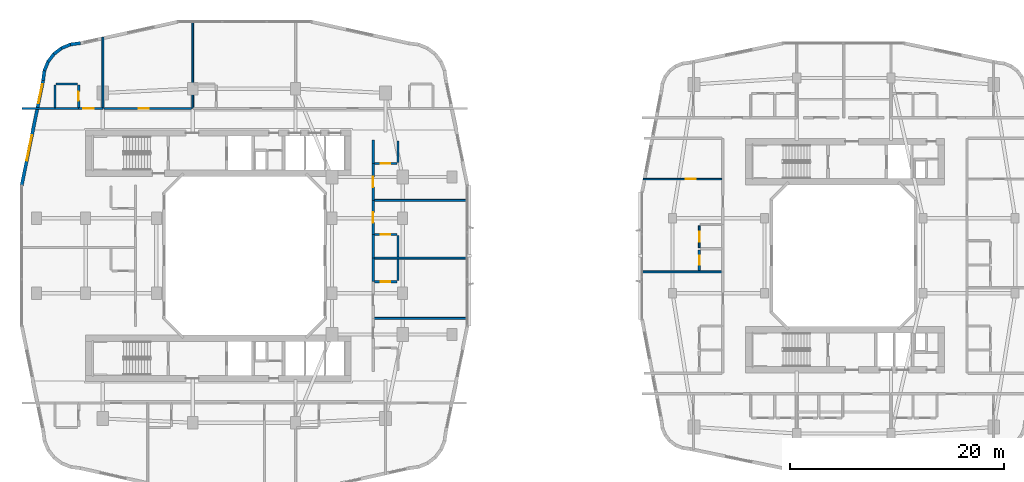
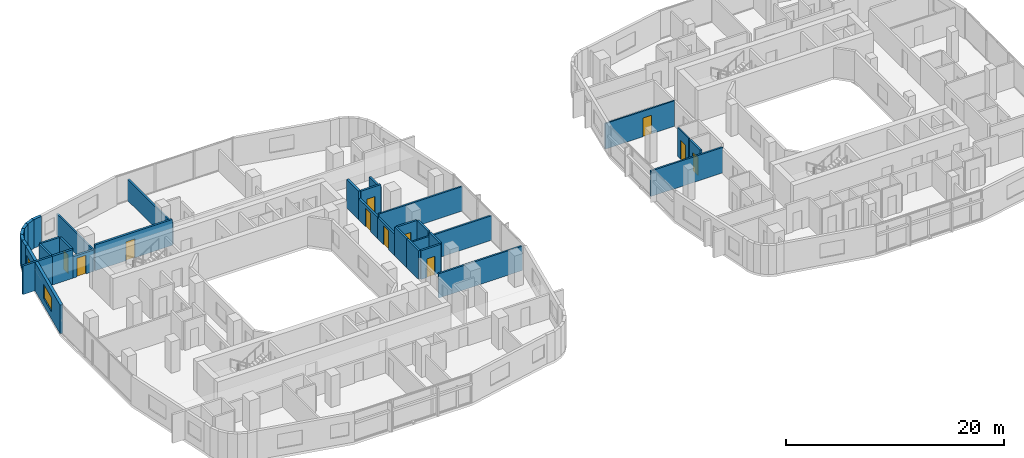
# One storey, part 16 of 27: 34 walls, 11 doors, 2 windows, 13 openings.
"""IFC4 building model written with IfcOpenShell, lengths in metres."""

from ifc_helpers import new_model, si_unit, derived_unit, direction, frame, frame_2d, origin, place, context, subcontext, project, spatial, rectangle, extrude, material, layer, layer_set, type_object, element, fill, save


model = new_model("IFC4")

# Units and contexts
model_context = context("Model", 3, precision=1e-05, world=origin(), true_north=direction((0.0, 1.0)))
body_context = subcontext(model_context, "Body", "Model", "MODEL_VIEW")
ifc_project = project(units=[si_unit("LENGTHUNIT", "METRE"), si_unit("AREAUNIT", "SQUARE_METRE"), si_unit("VOLUMEUNIT", "CUBIC_METRE"), si_unit("PLANEANGLEUNIT", "RADIAN"), si_unit("MASSUNIT", "GRAM", prefix="KILO"), derived_unit("THERMALTRANSMITTANCEUNIT", [(si_unit("POWERUNIT", "WATT"), 1), (si_unit("LENGTHUNIT", "METRE"), -2), (si_unit("THERMODYNAMICTEMPERATUREUNIT", "KELVIN"), -1)])], contexts=[model_context])

# Site, building, storey
site_placement = place(None, origin())
site = spatial("IfcSite", under=ifc_project, at=site_placement, CompositionType="ELEMENT")
building_placement = place(site_placement, origin())
building = spatial("IfcBuilding", under=site, at=building_placement, Name="Kivonza Crest Hotel", CompositionType="ELEMENT")
storey_placement = place(building_placement, frame((0.0, 0.0, 41.5)))
storey = spatial("IfcBuildingStorey", under=building, at=storey_placement, Name="L10", CompositionType="ELEMENT", Elevation=41.5)

# Walls
ifc_material_1 = material(Name="High-density acoustic masonry inter-tenancy wall", Category="masonry")
ifc_layer_1 = layer(ifc_material_1, 0.179931640625)
ifc_layer_set_1 = layer_set([ifc_layer_1], Name="High-density acoustic masonry inter-tenancy wall")
wall_type_1 = type_object("IfcWallType", Name="WL-ACOU-180", PredefinedType="SOLIDWALL", material=ifc_layer_set_1)
wall_1_placement = place(storey_placement, frame((7.800048828125, 38.75, 0.0), z_axis=(0.0, 0.0, 1.0), x_axis=(0.0, 1.0, 0.0)))
element("IfcWall", 1, at=wall_1_placement, inside=storey, type_object=wall_type_1, Name="L10 interior partition WA-L10-T1N-DIV1", PredefinedType="SOLIDWALL", context=body_context, shape_type="SweptSolid", body=[
    extrude(rectangle(XDim=6.656005859375, YDim=0.179931640625, at=frame_2d((3.328125, 0.0))), origin(), (0.0, 0.0, 1.0), 2.39501953125),
])
wall_2_placement = place(storey_placement, frame((16.199951171875, 38.75, 0.0), z_axis=(0.0, 0.0, 1.0), x_axis=(0.0, 1.0, 0.0)))
element("IfcWall", 2, at=wall_2_placement, inside=storey, type_object=wall_type_1, Name="L10 interior partition WA-L10-T1N-DIV2", PredefinedType="SOLIDWALL", context=body_context, shape_type="SweptSolid", body=[
    extrude(rectangle(XDim=8.18994140625, YDim=0.179931640625, at=frame_2d((4.094970703125, 0.0))), origin(), (0.0, 0.0, 1.0), 2.39501953125),
])
for number, where, z_axis, x_axis, name in (
    (3, (33.050048828125, 19.156005859375, 0.0), (0.0, 0.0, 1.0), (1.0, 0.0, 0.0), "L10 interior partition WA-L10-T1E-DIV1"),
    (4, (33.050048828125, 24.77197265625, 0.0), (0.0, 0.0, 1.0), (1.0, 0.0, 0.0), "L10 interior partition WA-L10-T1E-DIV2"),
    (5, (33.050048828125, 30.172119140625, 0.0), (0.0, 0.0, 1.0), (1.0, 0.0, 0.0), "L10 interior partition WA-L10-T1E-DIV3"),
):
    element("IfcWall", number, at=place(storey_placement, frame(where, z_axis=z_axis, x_axis=x_axis)), inside=storey, type_object=wall_type_1, Name=name, PredefinedType="SOLIDWALL", context=body_context, shape_type="SweptSolid", body=[
        extrude(rectangle(XDim=8.889892578125, YDim=0.179931640625, at=frame_2d((4.44482421875, 0.0))), origin(), (0.0, 0.0, 1.0), 2.7451171875),
    ])
wall_3_placement = place(storey_placement, frame((58.06005859375, 23.5, 0.0), z_axis=(0.0, 0.0, 1.0), x_axis=(1.0, 0.0, 0.0)))
element("IfcWall", 6, at=wall_3_placement, inside=storey, type_object=wall_type_1, Name="L10 interior partition WA-L10-T2W-DIV1", PredefinedType="SOLIDWALL", context=body_context, shape_type="SweptSolid", body=[
    extrude(rectangle(XDim=7.639892578125, YDim=0.179931640625, at=frame_2d((3.81982421875, 0.0))), origin(), (0.0, 0.0, 1.0), 2.864990234375),
])
ifc_material_2 = material(Name="Autoclaved aerated concrete blockwork", Category="masonry")
ifc_layer_2 = layer(ifc_material_2, 0.219970703125)
ifc_layer_set_2 = layer_set([ifc_layer_2], Name="Autoclaved aerated concrete blockwork")
wall_type_2 = type_object("IfcWallType", Name="WL-ACOU-220", PredefinedType="SOLIDWALL", material=ifc_layer_set_2)
wall_4_placement = place(storey_placement, frame((0.239990234375, 38.75, 0.0), z_axis=(0.0, 0.0, 1.0), x_axis=(1.0, 0.0, 0.0)))
element("IfcWall", 7, at=wall_4_placement, inside=storey, type_object=wall_type_2, Name="L10 interior partition WA-L10-N01-XCORR", PredefinedType="SOLIDWALL", context=body_context, shape_type="SweptSolid", body=[
    extrude(rectangle(XDim=3.110107421875, YDim=0.219970703125, at=frame_2d((1.55517578125, 0.0))), origin(), (0.0, 0.0, 1.0), 3.219970703125),
])
wall_5_placement = place(storey_placement, frame((3.35009765625, 38.75, 0.0), z_axis=(0.0, 0.0, 1.0), x_axis=(1.0, 0.0, 0.0)))
element("IfcWall", 8, at=wall_5_placement, inside=storey, type_object=wall_type_2, Name="L10 interior partition WA-L10-N01-BCORR", PredefinedType="SOLIDWALL", context=body_context, shape_type="SweptSolid", body=[
    extrude(rectangle(XDim=2.199951171875, YDim=0.219970703125, at=frame_2d((1.10009765625, 0.0))), origin(), (0.0, 0.0, 1.0), 3.219970703125),
])

# Wall, opening, door
wall_6_placement = place(storey_placement, frame((5.550048828125, 38.75, 0.0), z_axis=(0.0, 0.0, 1.0), x_axis=(1.0, 0.0, 0.0)))
wall_6 = element("IfcWall", 9, at=wall_6_placement, inside=storey, type_object=wall_type_2, Name="L10 interior partition WA-L10-N01-MCORR", PredefinedType="SOLIDWALL", context=body_context, shape_type="SweptSolid", body=[
    extrude(rectangle(XDim=2.25, YDim=0.219970703125, at=frame_2d((1.125, 0.0))), origin(), (0.0, 0.0, 1.0), 2.39501953125),
])
opening_1_placement = place(wall_6_placement, frame((0.43994140625, 0.0, 0.0)))
opening_1 = element("IfcOpeningElement", 10, at=opening_1_placement, cuts=wall_6, Name="Opening DU-60", PredefinedType="OPENING", context=body_context, shape_type="SweptSolid", body=[
    extrude(rectangle(XDim=0.949951171875, YDim=2.10009765625, at=frame_2d((0.47509765625, 1.050048828125))), frame((0.0, 0.1201171875, 0.0), z_axis=(0.0, -1.0, 0.0), x_axis=(1.0, 0.0, 0.0)), (0.0, 0.0, 1.0), 0.239990234375),
])
ifc_material_3 = material(Name="Hardwood timber oak", Category="wood")
door_type_1 = type_object("IfcDoorType", Name="DR-UNIT-950", OperationType="NOTDEFINED", PredefinedType="DOOR", material=ifc_material_3)
door_1_placement = place(opening_1_placement, origin())
door_1 = element("IfcDoor", 11, at=door_1_placement, inside=storey, type_object=door_type_1, Name="L10 N01 guest unit entrance fire door", OperationType="SINGLE_SWING_LEFT", OverallHeight=2.10009765625, OverallWidth=0.949951171875, PredefinedType="DOOR", context=body_context, shape_type="SweptSolid", body=[
    extrude(rectangle(XDim=0.949951171875, YDim=2.10009765625, at=frame_2d((0.47509765625, 1.050048828125))), frame((0.0, 0.02490234375, 0.0), z_axis=(0.0, -1.0, 0.0), x_axis=(1.0, 0.0, 0.0)), (0.0, 0.0, 1.0), 0.050048828125),
])
fill(opening_1, door_1)

wall_7_placement = place(storey_placement, frame((7.89990234375, 38.75, 0.0), z_axis=(0.0, 0.0, 1.0), x_axis=(1.0, 0.0, 0.0)))
wall_7 = element("IfcWall", 12, at=wall_7_placement, inside=storey, type_object=wall_type_2, Name="L10 interior partition WA-L10-HK-MAIN-S", PredefinedType="SOLIDWALL", context=body_context, shape_type="SweptSolid", body=[
    extrude(rectangle(XDim=8.2001953125, YDim=0.219970703125, at=frame_2d((4.10009765625, 0.0))), origin(), (0.0, 0.0, 1.0), 2.89501953125),
])
opening_2_placement = place(wall_7_placement, frame((3.251953125, 0.0, 0.0)))
opening_2 = element("IfcOpeningElement", 13, at=opening_2_placement, cuts=wall_7, Name="Opening DF-60S", PredefinedType="OPENING", context=body_context, shape_type="SweptSolid", body=[
    extrude(rectangle(XDim=0.949951171875, YDim=2.10009765625, at=frame_2d((0.47509765625, 1.050048828125))), frame((0.0, 0.1201171875, 0.0), z_axis=(0.0, -1.0, 0.0), x_axis=(1.0, 0.0, 0.0)), (0.0, 0.0, 1.0), 0.239990234375),
])
door_type_2 = type_object("IfcDoorType", Name="DR-FD60-950", OperationType="NOTDEFINED", PredefinedType="DOOR", material=ifc_material_3)
door_2_placement = place(opening_2_placement, origin())
door_2 = element("IfcDoor", 14, at=door_2_placement, inside=storey, type_object=door_type_2, Name="L10 Housekeeping and Linen Room door", OperationType="SINGLE_SWING_RIGHT", OverallHeight=2.10009765625, OverallWidth=0.949951171875, PredefinedType="DOOR", context=body_context, shape_type="SweptSolid", body=[
    extrude(rectangle(XDim=0.949951171875, YDim=2.10009765625, at=frame_2d((0.47509765625, 1.050048828125))), frame((0.0, 0.02490234375, 0.0), z_axis=(0.0, -1.0, 0.0), x_axis=(1.0, 0.0, 0.0)), (0.0, 0.0, 1.0), 0.050048828125),
])
fill(opening_2, door_2)

# Walls
for number, where, z_axis, x_axis, name in (
    (15, (33.050048828125, 22.572021484375, 0.0), (0.0, 0.0, 1.0), (0.0, 1.0, 0.0), "L10 interior partition WA-L10-E10-BCORR"),
    (16, (33.050048828125, 24.77197265625, 0.0), (0.0, 0.0, 1.0), (0.0, 1.0, 0.0), "L10 interior partition WA-L10-E11-BCORR"),
):
    element("IfcWall", number, at=place(storey_placement, frame(where, z_axis=z_axis, x_axis=x_axis)), inside=storey, type_object=wall_type_2, Name=name, PredefinedType="SOLIDWALL", context=body_context, shape_type="SweptSolid", body=[
        extrude(rectangle(XDim=2.199951171875, YDim=0.219970703125, at=frame_2d((1.10009765625, 0.0))), origin(), (0.0, 0.0, 1.0), 3.219970703125),
    ])

# Wall, opening, door
wall_8_placement = place(storey_placement, frame((33.050048828125, 26.971923828125, 0.0), z_axis=(0.0, 0.0, 1.0), x_axis=(0.0, 1.0, 0.0)))
wall_8 = element("IfcWall", 17, at=wall_8_placement, inside=storey, type_object=wall_type_2, Name="L10 interior partition WA-L10-E11-MCORR", PredefinedType="SOLIDWALL", context=body_context, shape_type="SweptSolid", body=[
    extrude(rectangle(XDim=3.2001953125, YDim=0.219970703125, at=frame_2d((1.60009765625, 0.0))), origin(), (0.0, 0.0, 1.0), 2.39501953125),
])
opening_3_placement = place(wall_8_placement, frame((1.125, 0.0, 0.0)))
opening_3 = element("IfcOpeningElement", 18, at=opening_3_placement, cuts=wall_8, Name="Opening DU-60", PredefinedType="OPENING", context=body_context, shape_type="SweptSolid", body=[
    extrude(rectangle(XDim=0.949951171875, YDim=2.10009765625, at=frame_2d((0.47509765625, 1.050048828125))), frame((0.0, 0.1201171875, 0.0), z_axis=(0.0, -1.0, 0.0), x_axis=(1.0, 0.0, 0.0)), (0.0, 0.0, 1.0), 0.239990234375),
])
door_3_placement = place(opening_3_placement, frame((0.949951171875, 0.0, 0.0), z_axis=(0.0, 0.0, 1.0), x_axis=(-1.0, 0.0, 0.0)))
door_3 = element("IfcDoor", 19, at=door_3_placement, inside=storey, type_object=door_type_1, Name="L10 E11 guest unit entrance fire door", OperationType="SINGLE_SWING_LEFT", OverallHeight=2.10009765625, OverallWidth=0.949951171875, PredefinedType="DOOR", context=body_context, shape_type="SweptSolid", body=[
    extrude(rectangle(XDim=0.949951171875, YDim=2.10009765625, at=frame_2d((0.47509765625, 1.050048828125))), frame((0.0, 0.02490234375, 0.0), z_axis=(0.0, -1.0, 0.0), x_axis=(1.0, 0.0, 0.0)), (0.0, 0.0, 1.0), 0.050048828125),
])
fill(opening_3, door_3)

# Wall
wall_9_placement = place(storey_placement, frame((33.050048828125, 33.60009765625, 0.0), z_axis=(0.0, 0.0, 1.0), x_axis=(0.0, 1.0, 0.0)))
element("IfcWall", 20, at=wall_9_placement, inside=storey, type_object=wall_type_2, Name="L10 interior partition WA-L10-E12-BCORR", PredefinedType="SOLIDWALL", context=body_context, shape_type="SweptSolid", body=[
    extrude(rectangle(XDim=2.199951171875, YDim=0.219970703125, at=frame_2d((1.10009765625, 0.0))), origin(), (0.0, 0.0, 1.0), 3.219970703125),
])

# Wall, opening, door
wall_10_placement = place(storey_placement, frame((33.050048828125, 30.172119140625, 0.0), z_axis=(0.0, 0.0, 1.0), x_axis=(0.0, 1.0, 0.0)))
wall_10 = element("IfcWall", 21, at=wall_10_placement, inside=storey, type_object=wall_type_2, Name="L10 interior partition WA-L10-E12-MCORR", PredefinedType="SOLIDWALL", context=body_context, shape_type="SweptSolid", body=[
    extrude(rectangle(XDim=3.427978515625, YDim=0.219970703125, at=frame_2d((1.7138671875, 0.0))), origin(), (0.0, 0.0, 1.0), 2.39501953125),
])
opening_4_placement = place(wall_10_placement, frame((1.239013671875, 0.0, 0.0)))
opening_4 = element("IfcOpeningElement", 22, at=opening_4_placement, cuts=wall_10, Name="Opening DU-60", PredefinedType="OPENING", context=body_context, shape_type="SweptSolid", body=[
    extrude(rectangle(XDim=0.949951171875, YDim=2.10009765625, at=frame_2d((0.47509765625, 1.050048828125))), frame((0.0, 0.1201171875, 0.0), z_axis=(0.0, -1.0, 0.0), x_axis=(1.0, 0.0, 0.0)), (0.0, 0.0, 1.0), 0.239990234375),
])
door_4_placement = place(opening_4_placement, frame((0.949951171875, 0.0, 0.0), z_axis=(0.0, 0.0, 1.0), x_axis=(-1.0, 0.0, 0.0)))
door_4 = element("IfcDoor", 23, at=door_4_placement, inside=storey, type_object=door_type_1, Name="L10 E12 guest unit entrance fire door", OperationType="SINGLE_SWING_RIGHT", OverallHeight=2.10009765625, OverallWidth=0.949951171875, PredefinedType="DOOR", context=body_context, shape_type="SweptSolid", body=[
    extrude(rectangle(XDim=0.949951171875, YDim=2.10009765625, at=frame_2d((0.47509765625, 1.050048828125))), frame((0.0, 0.02490234375, 0.0), z_axis=(0.0, -1.0, 0.0), x_axis=(1.0, 0.0, 0.0)), (0.0, 0.0, 1.0), 0.050048828125),
])
fill(opening_4, door_4)

# Walls
ifc_material_4 = material(Name="Precast concrete C40/50", Category="concrete")
ifc_layer_3 = layer(ifc_material_4, 0.300048828125)
ifc_layer_set_3 = layer_set([ifc_layer_3], Name="Precast concrete C40/50")
wall_type_3 = type_object("IfcWallType", Name="WL-EXT-300", PredefinedType="STANDARD", material=ifc_layer_set_3)
wall_11_placement = place(storey_placement, frame((5.7080078125, 44.85205078125, 0.0), z_axis=(0.0, 0.0, 1.0), x_axis=(-0.991359246108, -0.131174864804, 0.0)))
element("IfcWall", 24, at=wall_11_placement, inside=storey, type_object=wall_type_3, Name="L10 T1 exterior insulated wall 28", PredefinedType="STANDARD", context=body_context, shape_type="SweptSolid", body=[
    extrude(rectangle(XDim=0.93798828125, YDim=0.300048828125, at=frame_2d((0.468994140625, 0.0))), origin(), (0.0, 0.0, 1.0), 3.219970703125),
])
wall_12_placement = place(storey_placement, frame((4.827880859375, 44.748046875, 0.0), z_axis=(0.0, 0.0, 1.0), x_axis=(-0.923982547689, -0.382434636986, 0.0)))
element("IfcWall", 25, at=wall_12_placement, inside=storey, type_object=wall_type_3, Name="L10 T1 exterior insulated wall 29", PredefinedType="STANDARD", context=body_context, shape_type="SweptSolid", body=[
    extrude(rectangle(XDim=0.954345703125, YDim=0.300048828125, at=frame_2d((0.47705078125, 0.0))), origin(), (0.0, 0.0, 1.0), 3.219970703125),
])
for number, where, z_axis, x_axis, name in (
    (26, (3.990966796875, 44.4140625, 0.0), (0.0, 0.0, 1.0), (-0.793668068435, -0.608351047625, 0.0), "L10 T1 exterior insulated wall 30"),
    (27, (3.26806640625, 43.875, 0.0), (0.0, 0.0, 1.0), (-0.608351047625, -0.793668068435, 0.0), "L10 T1 exterior insulated wall 31"),
):
    element("IfcWall", number, at=place(storey_placement, frame(where, z_axis=z_axis, x_axis=x_axis)), inside=storey, type_object=wall_type_3, Name=name, PredefinedType="STANDARD", context=body_context, shape_type="SweptSolid", body=[
        extrude(rectangle(XDim=0.955078125, YDim=0.300048828125, at=frame_2d((0.4775390625, 0.0))), origin(), (0.0, 0.0, 1.0), 3.219970703125),
    ])
wall_13_placement = place(storey_placement, frame((2.7109375, 43.166015625, 0.0), z_axis=(0.0, 0.0, 1.0), x_axis=(-0.382344263057, -0.924019948111, 0.0)))
element("IfcWall", 28, at=wall_13_placement, inside=storey, type_object=wall_type_3, Name="L10 T1 exterior insulated wall 32", PredefinedType="STANDARD", context=body_context, shape_type="SweptSolid", body=[
    extrude(rectangle(XDim=0.95458984375, YDim=0.300048828125, at=frame_2d((0.477294921875, 0.0))), origin(), (0.0, 0.0, 1.0), 3.219970703125),
])
wall_14_placement = place(storey_placement, frame((2.35498046875, 42.3369140625, 0.0), z_axis=(0.0, 0.0, 1.0), x_axis=(-0.130454512571, -0.991454295543, 0.0)))
element("IfcWall", 29, at=wall_14_placement, inside=storey, type_object=wall_type_3, Name="L10 T1 exterior insulated wall 33", PredefinedType="STANDARD", context=body_context, shape_type="SweptSolid", body=[
    extrude(rectangle(XDim=0.97314453125, YDim=0.300048828125, at=frame_2d((0.486572265625, 0.0))), origin(), (0.0, 0.0, 1.0), 3.219970703125),
])

# Wall, openings, windows
wall_15_placement = place(storey_placement, frame((2.22900390625, 41.3779296875, 0.0), z_axis=(0.0, 0.0, 1.0), x_axis=(-0.199990901713, -0.979797754249, 0.0)))
wall_15 = element("IfcWall", 30, at=wall_15_placement, inside=storey, type_object=wall_type_3, Name="L10 T1 exterior insulated wall 34", PredefinedType="STANDARD", context=body_context, shape_type="SweptSolid", body=[
    extrude(rectangle(XDim=10.065185546875, YDim=0.300048828125, at=frame_2d((5.03271484375, 0.0))), origin(), (0.0, 0.0, 1.0), 3.219970703125),
])
opening_5_placement = place(wall_15_placement, frame((0.3779296875, 0.0, 0.85009765625)))
opening_5 = element("IfcOpeningElement", 31, at=opening_5_placement, cuts=wall_15, Name="Opening WN-03", PredefinedType="OPENING", context=body_context, shape_type="SweptSolid", body=[
    extrude(rectangle(XDim=1.800048828125, YDim=1.5, at=frame_2d((0.89990234375, 0.75))), frame((0.0, 0.16015625, 0.0), z_axis=(0.0, -1.0, 0.0), x_axis=(1.0, 0.0, 0.0)), (0.0, 0.0, 1.0), 0.320068359375),
])
opening_6_placement = place(wall_15_placement, frame((5.236083984375, 0.0, 0.800048828125)))
opening_6 = element("IfcOpeningElement", 32, at=opening_6_placement, cuts=wall_15, Name="Opening WN-05", PredefinedType="OPENING", context=body_context, shape_type="SweptSolid", body=[
    extrude(rectangle(XDim=2.39990234375, YDim=1.60009765625, at=frame_2d((1.199951171875, 0.800048828125))), frame((0.0, 0.16015625, 0.0), z_axis=(0.0, -1.0, 0.0), x_axis=(1.0, 0.0, 0.0)), (0.0, 0.0, 1.0), 0.320068359375),
])
ifc_material_5 = material(Name="Thermally broken bronze aluminium and low-E double glazing", Category="aluminium")
window_type_1 = type_object("IfcWindowType", Name="WN-180x150", PartitioningType="DOUBLE_PANEL_VERTICAL", PredefinedType="WINDOW", material=ifc_material_5)
window_1_placement = place(opening_5_placement, origin())
window_1 = element("IfcWindow", 33, at=window_1_placement, inside=storey, type_object=window_type_1, Name="L10 T1 facade window 34 bay 1", OverallHeight=1.5, OverallWidth=1.800048828125, PartitioningType="SINGLE_PANEL", PredefinedType="WINDOW", context=body_context, shape_type="SweptSolid", body=[
    extrude(rectangle(XDim=1.800048828125, YDim=1.5, at=frame_2d((0.89990234375, 0.75))), frame((0.0, 0.030029296875, 0.0), z_axis=(0.0, -1.0, 0.0), x_axis=(1.0, 0.0, 0.0)), (0.0, 0.0, 1.0), 0.06005859375),
])
fill(opening_5, window_1)
window_type_2 = type_object("IfcWindowType", Name="WN-240x160", PartitioningType="TRIPLE_PANEL_VERTICAL", PredefinedType="WINDOW", material=ifc_material_5)
window_2_placement = place(opening_6_placement, origin())
window_2 = element("IfcWindow", 34, at=window_2_placement, inside=storey, type_object=window_type_2, Name="L10 T1 facade window 34 bay 2", OverallHeight=1.60009765625, OverallWidth=2.39990234375, PartitioningType="SINGLE_PANEL", PredefinedType="WINDOW", context=body_context, shape_type="SweptSolid", body=[
    extrude(rectangle(XDim=2.39990234375, YDim=1.60009765625, at=frame_2d((1.199951171875, 0.800048828125))), frame((0.0, 0.030029296875, 0.0), z_axis=(0.0, -1.0, 0.0), x_axis=(1.0, 0.0, 0.0)), (0.0, 0.0, 1.0), 0.06005859375),
])
fill(opening_6, window_2)

# Wall, opening, door
ifc_material_6 = material(Name="Twin-stud acoustic gypsum board partition", Category="gypsum")
ifc_layer_4 = layer(ifc_material_6, 0.14990234375)
ifc_layer_set_4 = layer_set([ifc_layer_4], Name="Twin-stud acoustic gypsum board partition")
wall_type_4 = type_object("IfcWallType", Name="WL-PART-150", PredefinedType="PARTITIONING", material=ifc_layer_set_4)
wall_16_placement = place(storey_placement, frame((58.260009765625, 32.159912109375, 0.0), z_axis=(0.0, 0.0, 1.0), x_axis=(1.0, 0.0, 0.0)))
wall_16 = element("IfcWall", 35, at=wall_16_placement, inside=storey, type_object=wall_type_4, Name="L10 interior partition WP-L10-A07-BD1", PredefinedType="PARTITIONING", context=body_context, shape_type="SweptSolid", body=[
    extrude(rectangle(XDim=7.340087890625, YDim=0.14990234375, at=frame_2d((3.669921875, 0.0))), origin(), (0.0, 0.0, 1.0), 2.864990234375),
])
opening_7_placement = place(wall_16_placement, frame((3.989990234375, 0.0, 0.0)))
opening_7 = element("IfcOpeningElement", 36, at=opening_7_placement, cuts=wall_16, Name="Opening DI-90", PredefinedType="OPENING", context=body_context, shape_type="SweptSolid", body=[
    extrude(rectangle(XDim=0.89990234375, YDim=2.10009765625, at=frame_2d((0.449951171875, 1.050048828125))), frame((0.0, 0.0849609375, 0.0), z_axis=(0.0, -1.0, 0.0), x_axis=(1.0, 0.0, 0.0)), (0.0, 0.0, 1.0), 0.169921875),
])
door_type_3 = type_object("IfcDoorType", Name="DR-INT-900", OperationType="NOTDEFINED", PredefinedType="DOOR", material=ifc_material_3)
door_5_placement = place(opening_7_placement, origin())
door_5 = element("IfcDoor", 37, at=door_5_placement, inside=storey, type_object=door_type_3, Name="L10 A07 bedroom door", OperationType="SINGLE_SWING_RIGHT", OverallHeight=2.10009765625, OverallWidth=0.89990234375, PredefinedType="DOOR", context=body_context, shape_type="SweptSolid", body=[
    extrude(rectangle(XDim=0.89990234375, YDim=2.10009765625, at=frame_2d((0.449951171875, 1.050048828125))), frame((0.0, 0.02490234375, 0.0), z_axis=(0.0, -1.0, 0.0), x_axis=(1.0, 0.0, 0.0)), (0.0, 0.0, 1.0), 0.050048828125),
])
fill(opening_7, door_5)

wall_17_placement = place(storey_placement, frame((63.5, 25.75, 0.0), z_axis=(0.0, 0.0, 1.0), x_axis=(0.0, 1.0, 0.0)))
wall_17 = element("IfcWall", 38, at=wall_17_placement, inside=storey, type_object=wall_type_4, Name="L10 interior partition WP-L10-A07-KSVC", PredefinedType="PARTITIONING", context=body_context, shape_type="SweptSolid", body=[
    extrude(rectangle(XDim=2.050048828125, YDim=0.14990234375, at=frame_2d((1.02490234375, 0.0))), origin(), (0.0, 0.0, 1.0), 3.219970703125),
])
opening_8_placement = place(wall_17_placement, frame((0.574951171875, 0.0, 0.0)))
opening_8 = element("IfcOpeningElement", 39, at=opening_8_placement, cuts=wall_17, Name="Opening DI-90", PredefinedType="OPENING", context=body_context, shape_type="SweptSolid", body=[
    extrude(rectangle(XDim=0.89990234375, YDim=2.10009765625, at=frame_2d((0.449951171875, 1.050048828125))), frame((0.0, 0.0849609375, 0.0), z_axis=(0.0, -1.0, 0.0), x_axis=(1.0, 0.0, 0.0)), (0.0, 0.0, 1.0), 0.169921875),
])
door_6_placement = place(opening_8_placement, origin())
door_6 = element("IfcDoor", 40, at=door_6_placement, inside=storey, type_object=door_type_3, Name="L10 A07 apartment kitchen door", OperationType="SINGLE_SWING_LEFT", OverallHeight=2.10009765625, OverallWidth=0.89990234375, PredefinedType="DOOR", context=body_context, shape_type="SweptSolid", body=[
    extrude(rectangle(XDim=0.89990234375, YDim=2.10009765625, at=frame_2d((0.449951171875, 1.050048828125))), frame((0.0, 0.02490234375, 0.0), z_axis=(0.0, -1.0, 0.0), x_axis=(1.0, 0.0, 0.0)), (0.0, 0.0, 1.0), 0.050048828125),
])
fill(opening_8, door_6)

ifc_material_7 = material(Name="Moisture-resistant plumbing chase partition wall", Category="gypsum")
ifc_layer_5 = layer(ifc_material_7, 0.199951171875)
ifc_layer_set_5 = layer_set([ifc_layer_5], Name="Moisture-resistant plumbing chase partition wall")
wall_type_5 = type_object("IfcWallType", Name="WL-PLUMB-200", PredefinedType="PLUMBINGWALL", material=ifc_layer_set_5)
wall_18_placement = place(storey_placement, frame((5.550048828125, 38.85009765625, 0.0), z_axis=(0.0, 0.0, 1.0), x_axis=(0.0, 1.0, 0.0)))
wall_18 = element("IfcWall", 41, at=wall_18_placement, inside=storey, type_object=wall_type_5, Name="L10 interior partition WW-L10-N01-BV", PredefinedType="PLUMBINGWALL", context=body_context, shape_type="SweptSolid", body=[
    extrude(rectangle(XDim=2.099853515625, YDim=0.199951171875, at=frame_2d((1.0498046875, 0.0))), origin(), (0.0, 0.0, 1.0), 3.219970703125),
])
opening_9_placement = place(wall_18_placement, frame((0.625, 0.0, 0.0)))
opening_9 = element("IfcOpeningElement", 42, at=opening_9_placement, cuts=wall_18, Name="Opening DI-85", PredefinedType="OPENING", context=body_context, shape_type="SweptSolid", body=[
    extrude(rectangle(XDim=0.85009765625, YDim=2.10009765625, at=frame_2d((0.425048828125, 1.050048828125))), frame((0.0, 0.10986328125, 0.0), z_axis=(0.0, -1.0, 0.0), x_axis=(1.0, 0.0, 0.0)), (0.0, 0.0, 1.0), 0.219970703125),
])
door_type_4 = type_object("IfcDoorType", Name="DR-INT-850", OperationType="NOTDEFINED", PredefinedType="DOOR", material=ifc_material_3)
door_7_placement = place(opening_9_placement, frame((0.85009765625, 0.0, 0.0), z_axis=(0.0, 0.0, 1.0), x_axis=(-1.0, 0.0, 0.0)))
door_7 = element("IfcDoor", 43, at=door_7_placement, inside=storey, type_object=door_type_4, Name="L10 N01 en-suite bathroom door", OperationType="SINGLE_SWING_RIGHT", OverallHeight=2.10009765625, OverallWidth=0.85009765625, PredefinedType="DOOR", context=body_context, shape_type="SweptSolid", body=[
    extrude(rectangle(XDim=0.85009765625, YDim=2.10009765625, at=frame_2d((0.425048828125, 1.050048828125))), frame((0.0, 0.02490234375, 0.0), z_axis=(0.0, -1.0, 0.0), x_axis=(1.0, 0.0, 0.0)), (0.0, 0.0, 1.0), 0.050048828125),
])
fill(opening_9, door_7)

# Walls
wall_19_placement = place(storey_placement, frame((3.449951171875, 41.050048828125, 0.0), z_axis=(0.0, 0.0, 1.0), x_axis=(1.0, 0.0, 0.0)))
element("IfcWall", 44, at=wall_19_placement, inside=storey, type_object=wall_type_5, Name="L10 interior partition WW-L10-N01-BH", PredefinedType="PLUMBINGWALL", context=body_context, shape_type="SweptSolid", body=[
    extrude(rectangle(XDim=2.0, YDim=0.199951171875, at=frame_2d((1.0, 0.0))), origin(), (0.0, 0.0, 1.0), 3.219970703125),
])
wall_20_placement = place(storey_placement, frame((3.35009765625, 38.85009765625, 0.0), z_axis=(0.0, 0.0, 1.0), x_axis=(0.0, 1.0, 0.0)))
element("IfcWall", 45, at=wall_20_placement, inside=storey, type_object=wall_type_5, Name="L10 interior partition WW-L10-N01-BVW", PredefinedType="PLUMBINGWALL", context=body_context, shape_type="SweptSolid", body=[
    extrude(rectangle(XDim=2.099853515625, YDim=0.199951171875, at=frame_2d((1.0498046875, 0.0))), origin(), (0.0, 0.0, 1.0), 3.219970703125),
])

# Wall, opening, door
wall_21_placement = place(storey_placement, frame((33.14990234375, 22.572021484375, 0.0), z_axis=(0.0, 0.0, 1.0), x_axis=(1.0, 0.0, 0.0)))
wall_21 = element("IfcWall", 46, at=wall_21_placement, inside=storey, type_object=wall_type_5, Name="L10 interior partition WW-L10-E10-BH", PredefinedType="PLUMBINGWALL", context=body_context, shape_type="SweptSolid", body=[
    extrude(rectangle(XDim=2.10009765625, YDim=0.199951171875, at=frame_2d((1.050048828125, 0.0))), origin(), (0.0, 0.0, 1.0), 3.219970703125),
])
opening_10_placement = place(wall_21_placement, frame((0.625, 0.0, 0.0)))
opening_10 = element("IfcOpeningElement", 47, at=opening_10_placement, cuts=wall_21, Name="Opening DI-85", PredefinedType="OPENING", context=body_context, shape_type="SweptSolid", body=[
    extrude(rectangle(XDim=0.85009765625, YDim=2.10009765625, at=frame_2d((0.425048828125, 1.050048828125))), frame((0.0, 0.10986328125, 0.0), z_axis=(0.0, -1.0, 0.0), x_axis=(1.0, 0.0, 0.0)), (0.0, 0.0, 1.0), 0.219970703125),
])
door_8_placement = place(opening_10_placement, frame((0.85009765625, 0.0, 0.0), z_axis=(0.0, 0.0, 1.0), x_axis=(-1.0, 0.0, 0.0)))
door_8 = element("IfcDoor", 48, at=door_8_placement, inside=storey, type_object=door_type_4, Name="L10 E10 en-suite bathroom door", OperationType="SINGLE_SWING_LEFT", OverallHeight=2.10009765625, OverallWidth=0.85009765625, PredefinedType="DOOR", context=body_context, shape_type="SweptSolid", body=[
    extrude(rectangle(XDim=0.85009765625, YDim=2.10009765625, at=frame_2d((0.425048828125, 1.050048828125))), frame((0.0, 0.02490234375, 0.0), z_axis=(0.0, -1.0, 0.0), x_axis=(1.0, 0.0, 0.0)), (0.0, 0.0, 1.0), 0.050048828125),
])
fill(opening_10, door_8)

# Wall
wall_22_placement = place(storey_placement, frame((35.35009765625, 22.672119140625, 0.0), z_axis=(0.0, 0.0, 1.0), x_axis=(0.0, 1.0, 0.0)))
element("IfcWall", 49, at=wall_22_placement, inside=storey, type_object=wall_type_5, Name="L10 interior partition WW-L10-E10-BV", PredefinedType="PLUMBINGWALL", context=body_context, shape_type="SweptSolid", body=[
    extrude(rectangle(XDim=2.0, YDim=0.199951171875, at=frame_2d((1.0, 0.0))), origin(), (0.0, 0.0, 1.0), 3.219970703125),
])

# Wall, opening, door
wall_23_placement = place(storey_placement, frame((33.14990234375, 26.971923828125, 0.0), z_axis=(0.0, 0.0, 1.0), x_axis=(1.0, 0.0, 0.0)))
wall_23 = element("IfcWall", 50, at=wall_23_placement, inside=storey, type_object=wall_type_5, Name="L10 interior partition WW-L10-E11-BH", PredefinedType="PLUMBINGWALL", context=body_context, shape_type="SweptSolid", body=[
    extrude(rectangle(XDim=2.10009765625, YDim=0.199951171875, at=frame_2d((1.050048828125, 0.0))), origin(), (0.0, 0.0, 1.0), 3.219970703125),
])
opening_11_placement = place(wall_23_placement, frame((0.625, 0.0, 0.0)))
opening_11 = element("IfcOpeningElement", 51, at=opening_11_placement, cuts=wall_23, Name="Opening DI-85", PredefinedType="OPENING", context=body_context, shape_type="SweptSolid", body=[
    extrude(rectangle(XDim=0.85009765625, YDim=2.10009765625, at=frame_2d((0.425048828125, 1.050048828125))), frame((0.0, 0.10986328125, 0.0), z_axis=(0.0, -1.0, 0.0), x_axis=(1.0, 0.0, 0.0)), (0.0, 0.0, 1.0), 0.219970703125),
])
door_9_placement = place(opening_11_placement, origin())
door_9 = element("IfcDoor", 52, at=door_9_placement, inside=storey, type_object=door_type_4, Name="L10 E11 en-suite bathroom door", OperationType="SINGLE_SWING_RIGHT", OverallHeight=2.10009765625, OverallWidth=0.85009765625, PredefinedType="DOOR", context=body_context, shape_type="SweptSolid", body=[
    extrude(rectangle(XDim=0.85009765625, YDim=2.10009765625, at=frame_2d((0.425048828125, 1.050048828125))), frame((0.0, 0.02490234375, 0.0), z_axis=(0.0, -1.0, 0.0), x_axis=(1.0, 0.0, 0.0)), (0.0, 0.0, 1.0), 0.050048828125),
])
fill(opening_11, door_9)

# Wall
wall_24_placement = place(storey_placement, frame((35.35009765625, 24.8720703125, 0.0), z_axis=(0.0, 0.0, 1.0), x_axis=(0.0, 1.0, 0.0)))
element("IfcWall", 53, at=wall_24_placement, inside=storey, type_object=wall_type_5, Name="L10 interior partition WW-L10-E11-BV", PredefinedType="PLUMBINGWALL", context=body_context, shape_type="SweptSolid", body=[
    extrude(rectangle(XDim=2.0, YDim=0.199951171875, at=frame_2d((1.0, 0.0))), origin(), (0.0, 0.0, 1.0), 3.219970703125),
])

# Wall, opening, door
wall_25_placement = place(storey_placement, frame((33.14990234375, 33.60009765625, 0.0), z_axis=(0.0, 0.0, 1.0), x_axis=(1.0, 0.0, 0.0)))
wall_25 = element("IfcWall", 54, at=wall_25_placement, inside=storey, type_object=wall_type_5, Name="L10 interior partition WW-L10-E12-BH", PredefinedType="PLUMBINGWALL", context=body_context, shape_type="SweptSolid", body=[
    extrude(rectangle(XDim=2.10009765625, YDim=0.199951171875, at=frame_2d((1.050048828125, 0.0))), origin(), (0.0, 0.0, 1.0), 3.219970703125),
])
opening_12_placement = place(wall_25_placement, frame((0.625, 0.0, 0.0)))
opening_12 = element("IfcOpeningElement", 55, at=opening_12_placement, cuts=wall_25, Name="Opening DI-85", PredefinedType="OPENING", context=body_context, shape_type="SweptSolid", body=[
    extrude(rectangle(XDim=0.85009765625, YDim=2.10009765625, at=frame_2d((0.425048828125, 1.050048828125))), frame((0.0, 0.10986328125, 0.0), z_axis=(0.0, -1.0, 0.0), x_axis=(1.0, 0.0, 0.0)), (0.0, 0.0, 1.0), 0.219970703125),
])
door_10_placement = place(opening_12_placement, frame((0.85009765625, 0.0, 0.0), z_axis=(0.0, 0.0, 1.0), x_axis=(-1.0, 0.0, 0.0)))
door_10 = element("IfcDoor", 56, at=door_10_placement, inside=storey, type_object=door_type_4, Name="L10 E12 en-suite bathroom door", OperationType="SINGLE_SWING_LEFT", OverallHeight=2.10009765625, OverallWidth=0.85009765625, PredefinedType="DOOR", context=body_context, shape_type="SweptSolid", body=[
    extrude(rectangle(XDim=0.85009765625, YDim=2.10009765625, at=frame_2d((0.425048828125, 1.050048828125))), frame((0.0, 0.02490234375, 0.0), z_axis=(0.0, -1.0, 0.0), x_axis=(1.0, 0.0, 0.0)), (0.0, 0.0, 1.0), 0.050048828125),
])
fill(opening_12, door_10)

# Wall
wall_26_placement = place(storey_placement, frame((35.35009765625, 33.699951171875, 0.0), z_axis=(0.0, 0.0, 1.0), x_axis=(0.0, 1.0, 0.0)))
element("IfcWall", 57, at=wall_26_placement, inside=storey, type_object=wall_type_5, Name="L10 interior partition WW-L10-E12-BV", PredefinedType="PLUMBINGWALL", context=body_context, shape_type="SweptSolid", body=[
    extrude(rectangle(XDim=2.0, YDim=0.199951171875, at=frame_2d((1.0, 0.0))), origin(), (0.0, 0.0, 1.0), 2.7451171875),
])

# Wall, opening, door
wall_27_placement = place(storey_placement, frame((63.5, 23.60009765625, 0.0), z_axis=(0.0, 0.0, 1.0), x_axis=(0.0, 1.0, 0.0)))
wall_27 = element("IfcWall", 58, at=wall_27_placement, inside=storey, type_object=wall_type_5, Name="L10 interior partition WW-L10-A07-BSVC", PredefinedType="PLUMBINGWALL", context=body_context, shape_type="SweptSolid", body=[
    extrude(rectangle(XDim=1.949951171875, YDim=0.199951171875, at=frame_2d((0.97509765625, 0.0))), origin(), (0.0, 0.0, 1.0), 3.219970703125),
])
opening_13_placement = place(wall_27_placement, frame((0.550048828125, 0.0, 0.0)))
opening_13 = element("IfcOpeningElement", 59, at=opening_13_placement, cuts=wall_27, Name="Opening DI-85", PredefinedType="OPENING", context=body_context, shape_type="SweptSolid", body=[
    extrude(rectangle(XDim=0.85009765625, YDim=2.10009765625, at=frame_2d((0.425048828125, 1.050048828125))), frame((0.0, 0.10986328125, 0.0), z_axis=(0.0, -1.0, 0.0), x_axis=(1.0, 0.0, 0.0)), (0.0, 0.0, 1.0), 0.219970703125),
])
door_11_placement = place(opening_13_placement, origin())
door_11 = element("IfcDoor", 60, at=door_11_placement, inside=storey, type_object=door_type_4, Name="L10 A07 apartment bathroom door", OperationType="SINGLE_SWING_RIGHT", OverallHeight=2.10009765625, OverallWidth=0.85009765625, PredefinedType="DOOR", context=body_context, shape_type="SweptSolid", body=[
    extrude(rectangle(XDim=0.85009765625, YDim=2.10009765625, at=frame_2d((0.425048828125, 1.050048828125))), frame((0.0, 0.02490234375, 0.0), z_axis=(0.0, -1.0, 0.0), x_axis=(1.0, 0.0, 0.0)), (0.0, 0.0, 1.0), 0.050048828125),
])
fill(opening_13, door_11)

save(model, "model.ifc")
